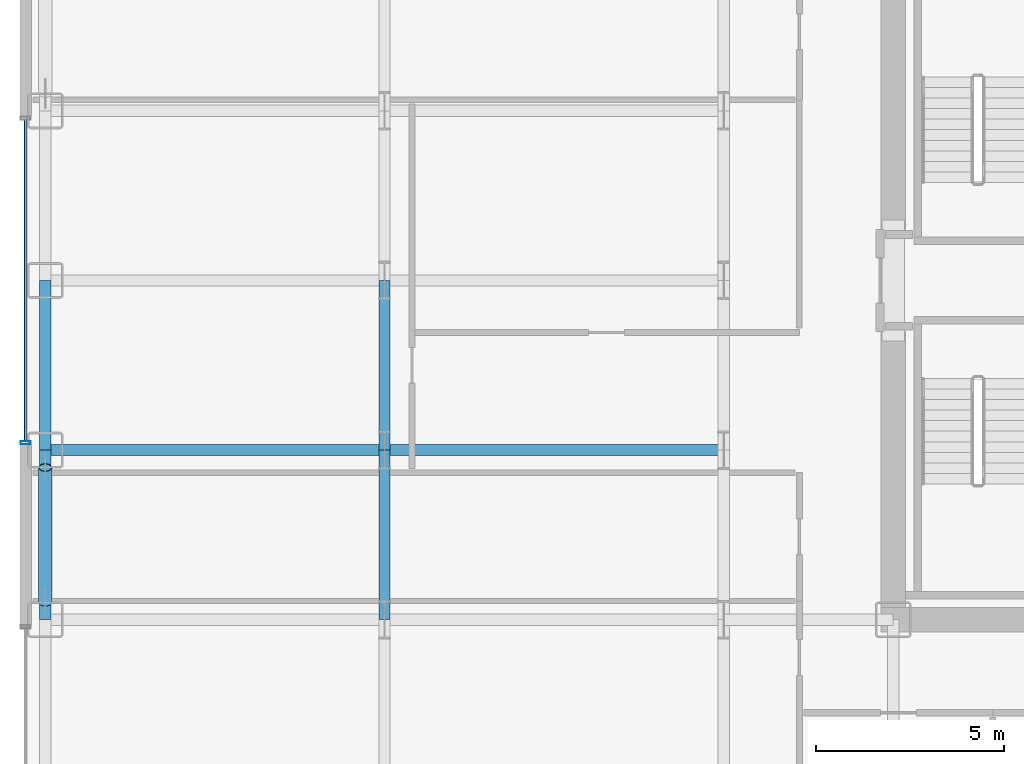
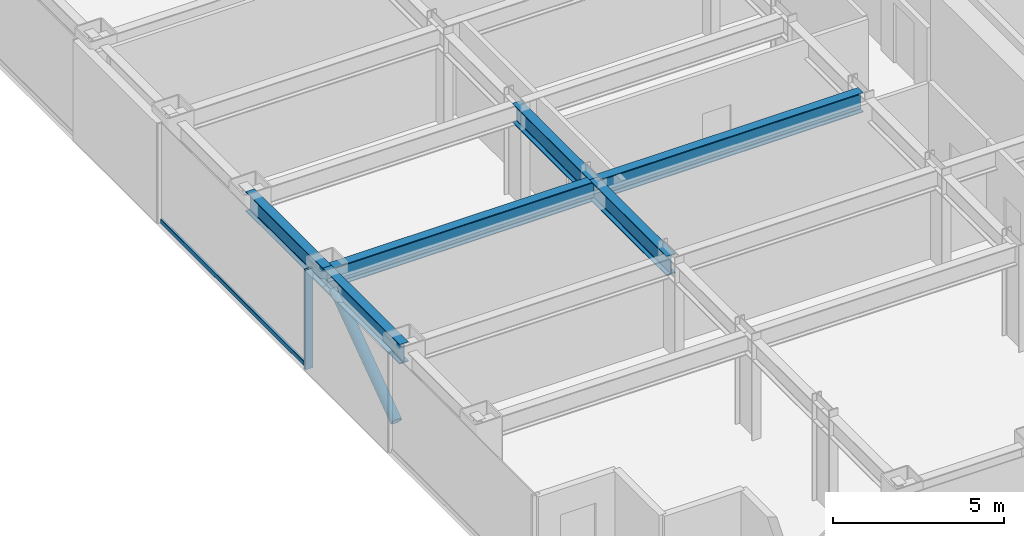
# One storey, part 5 of 29: 6 beams, 3 members, 1 element without a shape of its own.
"""IFC4 building model written with IfcOpenShell, lengths in metres."""

from ifc_helpers import new_model, si_unit, direction, frame, origin, origin_2d, place, context, subcontext, project, spatial, hollow_rectangle, hollow_circle, i_section, extrude, source, transform, mapped, material, layer, layer_set, material_profile, profile_set, type_object, element, aggregate, save


model = new_model("IFC4")

# Units and contexts
model_context = context("Model", 3, precision=1e-05, world=origin(), true_north=direction((0.0, 1.0)))
body_context = subcontext(model_context, "Body", "Model", "MODEL_VIEW")
ifc_project = project(units=[si_unit("LENGTHUNIT", "METRE"), si_unit("AREAUNIT", "SQUARE_METRE"), si_unit("VOLUMEUNIT", "CUBIC_METRE"), si_unit("PLANEANGLEUNIT", "RADIAN"), si_unit("MASSUNIT", "GRAM", prefix="KILO")], contexts=[model_context])

# Site, building, storey
site_placement = place(None, origin())
site = spatial("IfcSite", under=ifc_project, at=site_placement, CompositionType="ELEMENT")
building_placement = place(site_placement, origin())
building = spatial("IfcBuilding", under=site, at=building_placement, Name="Nefas-Gora Pilgrimage Tower", CompositionType="ELEMENT")
storey_placement = place(building_placement, frame((0.0, 0.0, 44.39990234375)))
storey = spatial("IfcBuildingStorey", under=building, at=storey_placement, Name="L09", CompositionType="ELEMENT", Elevation=44.39990234375)

# Beams
ifc_material_1 = material(Name="Steel S355", Category="steel")
ifc_material_profile_1 = material_profile(ifc_material_1, i_section(OverallWidth=0.300048828125, OverallDepth=0.699951171875, WebThickness=0.01708984375, FlangeThickness=0.031982421875, FilletRadius=0.027099609375, at=origin_2d()), Name="HEB 700")
ifc_profile_set_1 = profile_set([ifc_material_profile_1], Name="Steel S355")
beam_type_1 = type_object("IfcBeamType", Name="BM-SPN-HEB600", PredefinedType="SPANDREL", material=ifc_profile_set_1)
shared_shape_1 = source(origin(), body_context, "Body", "SweptSolid", [
    extrude(i_section(OverallWidth=0.300048828125, OverallDepth=0.699951171875, WebThickness=0.01708984375, FlangeThickness=0.031982421875, FilletRadius=0.027099609375, at=origin_2d()), origin(), (0.0, 0.0, 1.0), 4.5),
])
for number, where, z_axis, x_axis, name in (
    (1, (-33.75, -9.0, 3.2001953125), (0.0, 1.0, 0.0), (-1.0, 0.0, 0.0), "L09 SP-01 beam"),
    (2, (-33.75, -4.5, 3.2001953125), (0.0, 1.0, 0.0), (-1.0, 0.0, 0.0), "L09 SP-01 beam"),
):
    element("IfcBeam", number, at=place(storey_placement, frame(where, z_axis=z_axis, x_axis=x_axis)), inside=storey, type_object=beam_type_1, Name=name, PredefinedType="SPANDREL", context=body_context, shape_type="MappedRepresentation", body=[
        mapped(shared_shape_1, transform((0.0, 0.0, 0.0), x_axis=(1.0, 0.0, 0.0), y_axis=(0.0, 1.0, 0.0), z_axis=(0.0, 0.0, 1.0), scale=1.0)),
    ])
ifc_material_profile_2 = material_profile(ifc_material_1, i_section(OverallWidth=0.300048828125, OverallDepth=0.699951171875, WebThickness=0.01708984375, FlangeThickness=0.031982421875, FilletRadius=0.027099609375, at=origin_2d()), Name="HEB 700")
ifc_profile_set_2 = profile_set([ifc_material_profile_2], Name="Steel S355")
beam_type_2 = type_object("IfcBeamType", Name="BM-GIR-HEB700", PredefinedType="BEAM", material=ifc_profile_set_2)
shared_shape_2 = source(origin(), body_context, "Body", "SweptSolid", [
    extrude(i_section(OverallWidth=0.300048828125, OverallDepth=0.699951171875, WebThickness=0.01708984375, FlangeThickness=0.031982421875, FilletRadius=0.027099609375, at=origin_2d()), origin(), (0.0, 0.0, 1.0), 9.0),
])
for number, where, z_axis, x_axis, name in (
    (3, (-33.75, -4.5, 3.2001953125), (1.0, 0.0, 0.0), (0.0, 1.0, 0.0), "L09 G-02 beam"),
    (4, (-24.75, -4.5, 3.2001953125), (1.0, 0.0, 0.0), (0.0, 1.0, 0.0), "L09 G-02 beam"),
):
    element("IfcBeam", number, at=place(storey_placement, frame(where, z_axis=z_axis, x_axis=x_axis)), inside=storey, type_object=beam_type_2, Name=name, PredefinedType="BEAM", context=body_context, shape_type="MappedRepresentation", body=[
        mapped(shared_shape_2, transform((0.0, 0.0, 0.0), x_axis=(1.0, 0.0, 0.0), y_axis=(0.0, 1.0, 0.0), z_axis=(0.0, 0.0, 1.0), scale=1.0)),
    ])
shared_shape_3 = source(origin(), body_context, "Body", "SweptSolid", [
    extrude(i_section(OverallWidth=0.300048828125, OverallDepth=0.699951171875, WebThickness=0.01708984375, FlangeThickness=0.031982421875, FilletRadius=0.027099609375, at=origin_2d()), origin(), (0.0, 0.0, 1.0), 4.5),
])
for number, where, z_axis, x_axis, name in (
    (5, (-24.75, -9.0, 3.2001953125), (0.0, 1.0, 0.0), (-1.0, 0.0, 0.0), "L09 G-02 beam"),
    (6, (-24.75, -4.5, 3.2001953125), (0.0, 1.0, 0.0), (-1.0, 0.0, 0.0), "L09 G-02 beam"),
):
    element("IfcBeam", number, at=place(storey_placement, frame(where, z_axis=z_axis, x_axis=x_axis)), inside=storey, type_object=beam_type_2, Name=name, PredefinedType="BEAM", context=body_context, shape_type="MappedRepresentation", body=[
        mapped(shared_shape_3, transform((0.0, 0.0, 0.0), x_axis=(1.0, 0.0, 0.0), y_axis=(0.0, 1.0, 0.0), z_axis=(0.0, 0.0, 1.0), scale=1.0)),
    ])

# Member
ifc_material_2 = material(Name="Steel S460", Category="steel")
ifc_material_profile_3 = material_profile(ifc_material_2, hollow_circle(Radius=0.177734375, WallThickness=0.02001953125, at=origin_2d()), Name="CHS 355.6x20")
ifc_profile_set_3 = profile_set([ifc_material_profile_3], Name="Steel S460")
member_type_1 = type_object("IfcMemberType", Name="MEM-TUBE-356", PredefinedType="BRACE", material=ifc_profile_set_3)
shared_shape_4 = source(origin(), body_context, "Body", "SweptSolid", [
    extrude(hollow_circle(Radius=0.177734375, WallThickness=0.02001953125, at=origin_2d()), origin(), (0.0, 0.0, 1.0), 4.39501953125),
])
member_1_placement = place(storey_placement, frame((-33.75, -8.537109375, 0.4814453125), z_axis=(0.0, 0.813264026864, 0.581894855287), x_axis=(-1.0, 0.0, 0.0)))
element("IfcMember", 7, at=member_1_placement, inside=storey, type_object=member_type_1, Name="L09 Perimeter Tube Diagonal Brace W1", PredefinedType="BRACE", context=body_context, shape_type="MappedRepresentation", body=[
    mapped(shared_shape_4, transform((0.0, 0.0, 0.0), x_axis=(1.0, 0.0, 0.0), y_axis=(0.0, 1.0, 0.0), z_axis=(0.0, 0.0, 1.0), scale=1.0)),
])

# Curtain wall, members
ifc_material_3 = material(Name="Dark ceramic-fritted solar-control aluminium-glass curtain wall", Category="aluminium")
ifc_layer = layer(ifc_material_3, 0.219970703125)
ifc_layer_set = layer_set([ifc_layer], Name="Dark ceramic-fritted solar-control aluminium-glass curtain wall")
curtain_wall_type = type_object("IfcCurtainWallType", Name="CW-SYS-2", PredefinedType="NOTDEFINED", material=ifc_layer_set)
curtain_wall_placement = place(storey_placement, origin())
curtain_wall = element("IfcCurtainWall", 8, at=curtain_wall_placement, inside=storey, type_object=curtain_wall_type, Name="L09 Unitised Curtain Wall CW2", PredefinedType="NOTDEFINED")
ifc_material_4 = material(Name="Anodised architectural aluminium", Category="aluminium")
ifc_material_profile_4 = material_profile(ifc_material_4, hollow_rectangle(XDim=0.090087890625, YDim=0.260009765625, WallThickness=0.006103515625, InnerFilletRadius=0.006103515625, OuterFilletRadius=0.011962890625, at=origin_2d()), Name="ALU MULLION 90x260")
ifc_profile_set_4 = profile_set([ifc_material_profile_4], Name="Anodised architectural aluminium")
member_type_2 = type_object("IfcMemberType", Name="CWM-MUL-2", PredefinedType="MULLION", material=ifc_profile_set_4)
shared_shape_5 = source(origin(), body_context, "Body", "SweptSolid", [
    extrude(hollow_rectangle(XDim=0.090087890625, YDim=0.260009765625, WallThickness=0.006103515625, InnerFilletRadius=0.006103515625, OuterFilletRadius=0.011962890625, at=origin_2d()), origin(), (0.0, 0.0, 1.0), 3.550048828125),
])
member_2_placement = place(storey_placement, frame((-34.27001953125, -4.304931640625, 0.0), z_axis=(0.0, 0.0, 1.0), x_axis=(0.0, -1.0, 0.0)))
member_2 = element("IfcMember", 9, at=member_2_placement, type_object=member_type_2, Name="CW2 Mullion 2", PredefinedType="MULLION", context=body_context, shape_type="MappedRepresentation", body=[
    mapped(shared_shape_5, transform((0.0, 0.0, 0.0), x_axis=(1.0, 0.0, 0.0), y_axis=(0.0, 1.0, 0.0), z_axis=(0.0, 0.0, 1.0), scale=1.0)),
])
ifc_material_profile_5 = material_profile(ifc_material_4, hollow_rectangle(XDim=0.080078125, YDim=0.159912109375, WallThickness=0.00439453125, InnerFilletRadius=0.00439453125, OuterFilletRadius=0.009033203125, at=origin_2d()), Name="ALU TRANSOM 80x160")
ifc_profile_set_5 = profile_set([ifc_material_profile_5], Name="Anodised architectural aluminium")
member_type_3 = type_object("IfcMemberType", Name="CWM-TRN-2", PredefinedType="USERDEFINED", material=ifc_profile_set_5)
shared_shape_6 = source(origin(), body_context, "Body", "SweptSolid", [
    extrude(hollow_rectangle(XDim=0.080078125, YDim=0.159912109375, WallThickness=0.00439453125, InnerFilletRadius=0.00439453125, OuterFilletRadius=0.009033203125, at=origin_2d()), origin(), (0.0, 0.0, 1.0), 8.52001953125),
])
member_3_placement = place(storey_placement, frame((-34.27001953125, 4.260009765625, 0.050048828125), z_axis=(0.0, -1.0, 0.0), x_axis=(1.0, 0.0, 0.0)))
member_3 = element("IfcMember", 10, at=member_3_placement, type_object=member_type_3, Name="CW2 Spandrel Transom", ObjectType="TRANSOM", PredefinedType="USERDEFINED", context=body_context, shape_type="MappedRepresentation", body=[
    mapped(shared_shape_6, transform((0.0, 0.0, 0.0), x_axis=(1.0, 0.0, 0.0), y_axis=(0.0, 1.0, 0.0), z_axis=(0.0, 0.0, 1.0), scale=1.0)),
])
aggregate(curtain_wall, [member_2, member_3])

save(model, "model.ifc")
